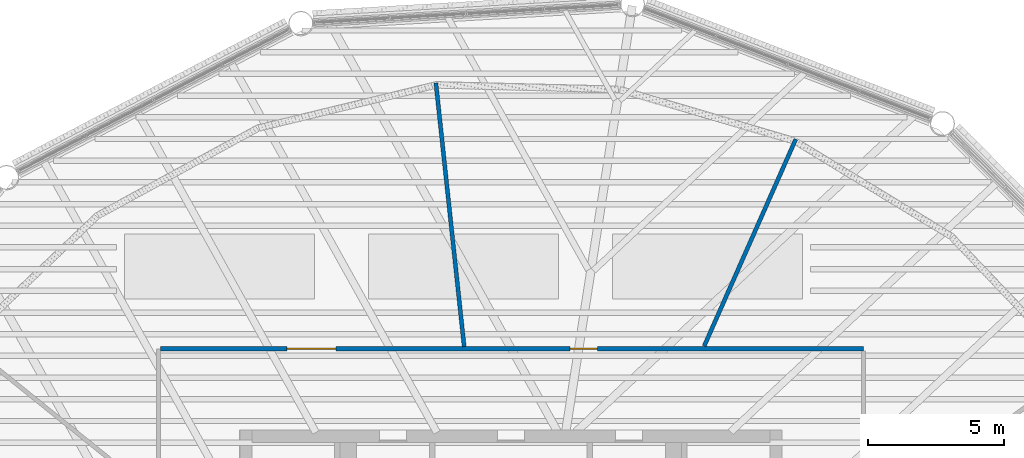
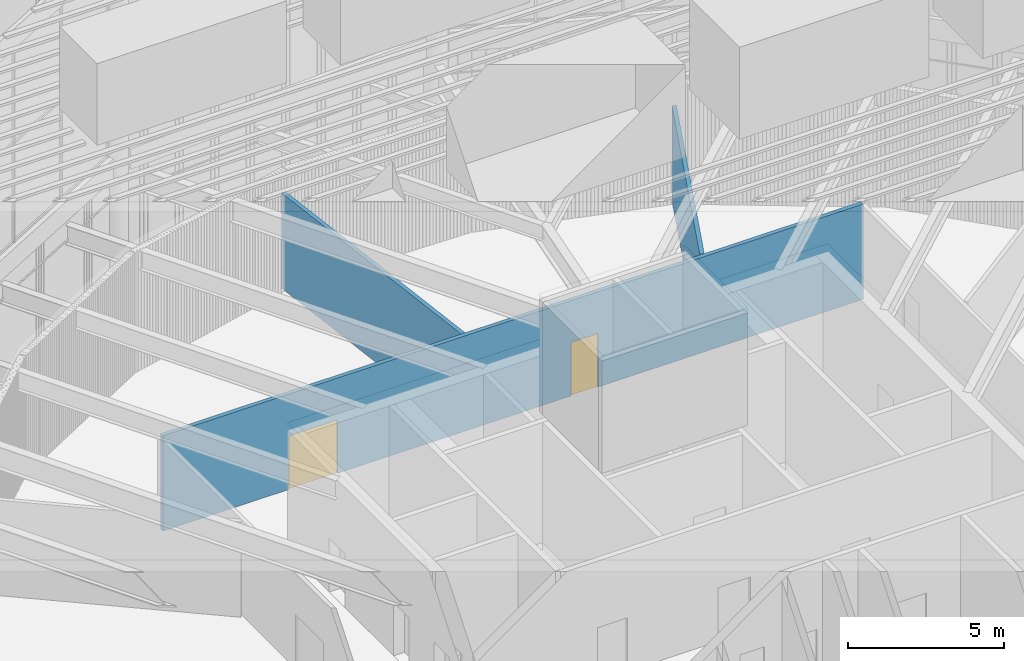
# One storey, part 84 of 117: 3 walls, 2 doors, 2 openings.
"""IFC4 building model written with IfcOpenShell, lengths in metres."""

from ifc_helpers import new_model, si_unit, direction, frame, frame_2d, origin, place, context, subcontext, project, spatial, rectangle, extrude, material, layer, layer_set, type_object, element, fill, save


model = new_model("IFC4")

# Units and contexts
model_context = context("Model", 3, precision=1e-05, world=origin(), true_north=direction((0.0, 1.0)))
body_context = subcontext(model_context, "Body", "Model", "MODEL_VIEW")
ifc_project = project(units=[si_unit("LENGTHUNIT", "METRE"), si_unit("AREAUNIT", "SQUARE_METRE"), si_unit("VOLUMEUNIT", "CUBIC_METRE"), si_unit("PLANEANGLEUNIT", "RADIAN"), si_unit("MASSUNIT", "GRAM", prefix="KILO")], contexts=[model_context])

# Site, building, storey
site_placement = place(None, origin())
site = spatial("IfcSite", under=ifc_project, at=site_placement, CompositionType="ELEMENT")
building_placement = place(site_placement, origin())
building = spatial("IfcBuilding", under=site, at=building_placement, Name="Tarsis Ring Headquarters", CompositionType="ELEMENT")
storey_placement = place(building_placement, frame((0.0, 0.0, 403.60009765625)))
storey = spatial("IfcBuildingStorey", under=building, at=storey_placement, Name="L95", CompositionType="ELEMENT", Elevation=403.60009765625)

# Wall, openings, doors
ifc_material_1 = material(Name="Gypsum board on steel studs", Category="steel")
ifc_layer = layer(ifc_material_1, 0.14990234375)
ifc_layer_set = layer_set([ifc_layer], Name="FL partition 150 EI 120 H3730")
wall_type = type_object("IfcWallType", Name="FL partition 150 EI 120 H3730", PredefinedType="PARTITIONING", material=ifc_layer_set)
wall_1_placement = place(storey_placement, frame((-12.919921875, 16.0, 0.0), z_axis=(0.0, 0.0, 1.0), x_axis=(1.0, 0.0, 0.0)))
wall_1 = element("IfcWall", 1, at=wall_1_placement, inside=storey, type_object=wall_type, Name="Partition PW2H373", PredefinedType="PARTITIONING", context=body_context, shape_type="SweptSolid", body=[
    extrude(rectangle(XDim=25.919921875, YDim=0.14990234375, at=frame_2d((12.9599609375, 0.0))), origin(), (0.0, 0.0, 1.0), 3.72998046875),
])
opening_1_placement = place(wall_1_placement, frame((4.662109375, 0.0, 0.0)))
opening_1 = element("IfcOpeningElement", 2, at=opening_1_placement, cuts=wall_1, Name="Opening D95.04", PredefinedType="OPENING", context=body_context, shape_type="SweptSolid", body=[
    extrude(rectangle(XDim=1.800048828125, YDim=2.10009765625, at=frame_2d((0.89990234375, 1.050048828125))), frame((0.0, 0.0849609375, 0.0), z_axis=(0.0, -1.0, 0.0), x_axis=(1.0, 0.0, 0.0)), (0.0, 0.0, 1.0), 0.169921875),
])
opening_2_placement = place(wall_1_placement, frame((15.10400390625, 0.0, 0.0)))
opening_2 = element("IfcOpeningElement", 3, at=opening_2_placement, cuts=wall_1, Name="Opening D95.05", PredefinedType="OPENING", context=body_context, shape_type="SweptSolid", body=[
    extrude(rectangle(XDim=1.0, YDim=2.10009765625, at=frame_2d((0.5, 1.050048828125))), frame((0.0, 0.0849609375, 0.0), z_axis=(0.0, -1.0, 0.0), x_axis=(1.0, 0.0, 0.0)), (0.0, 0.0, 1.0), 0.169921875),
])
ifc_material_2 = material(Name="Fire-rated timber door leaf in steel frame", Category="steel")
door_type_1 = type_object("IfcDoorType", Name="FL door FD120-1000", OperationType="NOTDEFINED", PredefinedType="DOOR", material=ifc_material_2)
door_1_placement = place(opening_2_placement, origin())
door_1 = element("IfcDoor", 4, at=door_1_placement, inside=storey, type_object=door_type_1, Name="Door D95.05", OperationType="SINGLE_SWING_RIGHT", OverallHeight=2.10009765625, OverallWidth=1.0, PredefinedType="DOOR", context=body_context, shape_type="SweptSolid", body=[
    extrude(rectangle(XDim=1.0, YDim=2.10009765625, at=frame_2d((0.5, 1.050048828125))), frame((0.0, 0.02490234375, 0.0), z_axis=(0.0, -1.0, 0.0), x_axis=(1.0, 0.0, 0.0)), (0.0, 0.0, 1.0), 0.050048828125),
])
fill(opening_2, door_1)
door_type_2 = type_object("IfcDoorType", Name="FL door FD120-1800", OperationType="DOUBLE_DOOR_SINGLE_SWING", PredefinedType="DOOR", material=ifc_material_2)
door_2_placement = place(opening_1_placement, origin())
door_2 = element("IfcDoor", 5, at=door_2_placement, inside=storey, type_object=door_type_2, Name="Door D95.04", OperationType="DOUBLE_DOOR_SINGLE_SWING", OverallHeight=2.10009765625, OverallWidth=1.800048828125, PredefinedType="DOOR", context=body_context, shape_type="SweptSolid", body=[
    extrude(rectangle(XDim=1.800048828125, YDim=2.10009765625, at=frame_2d((0.89990234375, 1.050048828125))), frame((0.0, 0.02490234375, 0.0), z_axis=(0.0, -1.0, 0.0), x_axis=(1.0, 0.0, 0.0)), (0.0, 0.0, 1.0), 0.050048828125),
])
fill(opening_1, door_2)

# Walls
wall_2_placement = place(storey_placement, frame((-2.766357421875, 25.800048828125, 0.0), z_axis=(0.0, 0.0, 1.0), x_axis=(0.106609837422, -0.994300931592, 0.0)))
element("IfcWall", 6, at=wall_2_placement, inside=storey, type_object=wall_type, Name="Partition PW2H373", PredefinedType="PARTITIONING", context=body_context, shape_type="SweptSolid", body=[
    extrude(rectangle(XDim=9.776123046875, YDim=0.14990234375, at=frame_2d((4.88818359375, 0.0))), origin(), (0.0, 0.0, 1.0), 3.72998046875),
])
wall_3_placement = place(storey_placement, frame((7.128173828125, 16.1005859375, 0.0), z_axis=(0.0, 0.0, 1.0), x_axis=(0.404826162724, 0.914393666849, 0.0)))
element("IfcWall", 7, at=wall_3_placement, inside=storey, type_object=wall_type, Name="Partition PW2H373", PredefinedType="PARTITIONING", context=body_context, shape_type="SweptSolid", body=[
    extrude(rectangle(XDim=8.33984375, YDim=0.14990234375, at=frame_2d((4.169921875, 0.0))), origin(), (0.0, 0.0, 1.0), 3.72998046875),
])

save(model, "model.ifc")
